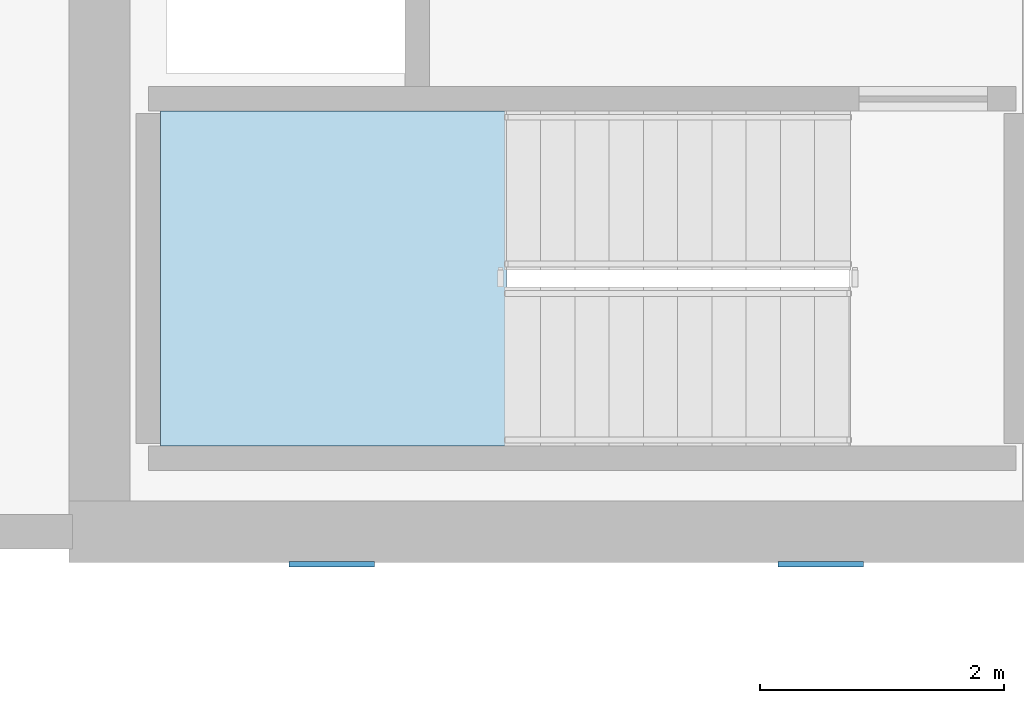
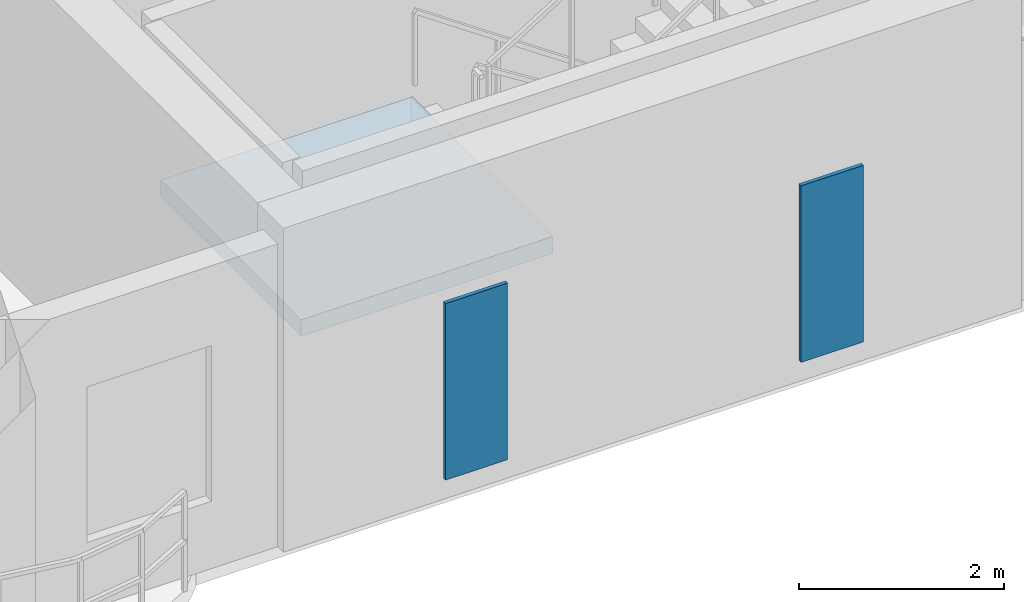
# One storey, part 2 of 14: 2 plates, 1 slab, 1 element without a shape of its own.
"""IFC4 building model written with IfcOpenShell, lengths in metres."""

from ifc_helpers import new_model, si_unit, derived_unit, direction, frame, origin, origin_2d, place, context, subcontext, project, spatial, polyline, rectangle, outline, extrude, source, transform, mapped, material, layer, layer_set, type_object, type_shapes, element, aggregate, save


model = new_model("IFC4")

# Units and contexts
model_context = context("Model", 3, precision=1e-05, world=origin(), true_north=direction((0.0, 1.0)))
body_context = subcontext(model_context, "Body", "Model", "MODEL_VIEW")
ifc_project = project(units=[si_unit("LENGTHUNIT", "METRE"), si_unit("AREAUNIT", "SQUARE_METRE"), si_unit("VOLUMEUNIT", "CUBIC_METRE"), si_unit("PLANEANGLEUNIT", "RADIAN"), si_unit("MASSUNIT", "GRAM", prefix="KILO"), si_unit("THERMODYNAMICTEMPERATUREUNIT", "KELVIN"), si_unit("POWERUNIT", "WATT"), derived_unit("THERMALTRANSMITTANCEUNIT", [(si_unit("POWERUNIT", "WATT"), 1), (si_unit("AREAUNIT", "SQUARE_METRE"), -1), (si_unit("THERMODYNAMICTEMPERATUREUNIT", "KELVIN"), -1)])], contexts=[model_context])

# Site, building, storey
site_placement = place(None, origin())
site = spatial("IfcSite", under=ifc_project, at=site_placement, CompositionType="ELEMENT")
building_placement = place(site_placement, origin())
building = spatial("IfcBuilding", under=site, at=building_placement, Name="Zahravan Archway Hotel and Residences", CompositionType="ELEMENT")
storey_placement = place(building_placement, frame((0.0, 0.0, 205.75)))
storey = spatial("IfcBuildingStorey", under=building, at=storey_placement, Name="L51", CompositionType="ELEMENT", Elevation=205.75)

# Stair, slab
ifc_material_1 = material(Name="Concrete C50/60", Category="concrete")
stair_type = type_object("IfcStairType", Name="STR-CORE-1300", PredefinedType="HALF_TURN_STAIR", material=ifc_material_1)
stair_placement = place(storey_placement, origin())
stair = element("IfcStair", 1, at=stair_placement, inside=storey, type_object=stair_type, Name="L51 Core B Exit Stair 1", PredefinedType="HALF_TURN_STAIR")
ifc_layer_1 = layer(ifc_material_1, 0.199951171875, Name="Concrete C50/60", Category="concrete")
ifc_layer_set_1 = layer_set([ifc_layer_1], Name="Concrete C50/60")
slab_type = type_object("IfcSlabType", Name="SLB-LND-200", PredefinedType="LANDING", material=ifc_layer_set_1)
slab_placement = place(storey_placement, frame((0.0, 0.0, 1.72509765625)))
slab = element("IfcSlab", 2, at=slab_placement, type_object=slab_type, Name="ST-B1 landing 1", PredefinedType="LANDING", context=body_context, shape_type="SweptSolid", body=[
    extrude(outline(polyline([(6.929931640625, 28.639892578125), (4.10009765625, 28.639892578125), (4.10009765625, 25.89990234375), (6.929931640625, 25.89990234375), (6.929931640625, 28.639892578125)])), origin(), (0.0, 0.0, 1.0), 0.199951171875),
])
aggregate(stair, [slab])

# Plates
ifc_material_2 = material(Name="Perforated Cast Bronze Jali Lattice")
ifc_layer_2 = layer(ifc_material_2, 0.044921875, Name="Perforated Cast Bronze Jali Lattice")
ifc_layer_set_2 = layer_set([ifc_layer_2], Name="Perforated Cast Bronze Jali Lattice")
plate_type = type_object("IfcPlateType", Name="PLT-JALI-BAY", PredefinedType="USERDEFINED", material=ifc_layer_set_2)
shared_shape = source(origin(), body_context, "Body", "SweptSolid", [
    extrude(rectangle(XDim=0.699951171875, YDim=0.044921875, at=origin_2d()), origin(), (0.0, 0.0, 1.0), 2.10009765625),
])
type_shapes(plate_type, [shared_shape])
for number, where, z_axis, x_axis, name in (
    (3, (5.5, 24.931884765625, 0.25), (0.0, 0.0, 1.0), (1.0, 0.0, 0.0), "L51 Core B South Mughal Jali Screen 1"),
    (4, (9.5, 24.931884765625, 0.25), (0.0, 0.0, 1.0), (1.0, 0.0, 0.0), "L51 Core B South Mughal Jali Screen 2"),
):
    element("IfcPlate", number, at=place(storey_placement, frame(where, z_axis=z_axis, x_axis=x_axis)), inside=storey, type_object=plate_type, Name=name, ObjectType="SCREEN", PredefinedType="USERDEFINED", context=body_context, shape_type="MappedRepresentation", body=[
        mapped(shared_shape, transform((0.0, 0.0, 0.0), scale=1.0)),
    ])

save(model, "model.ifc")
